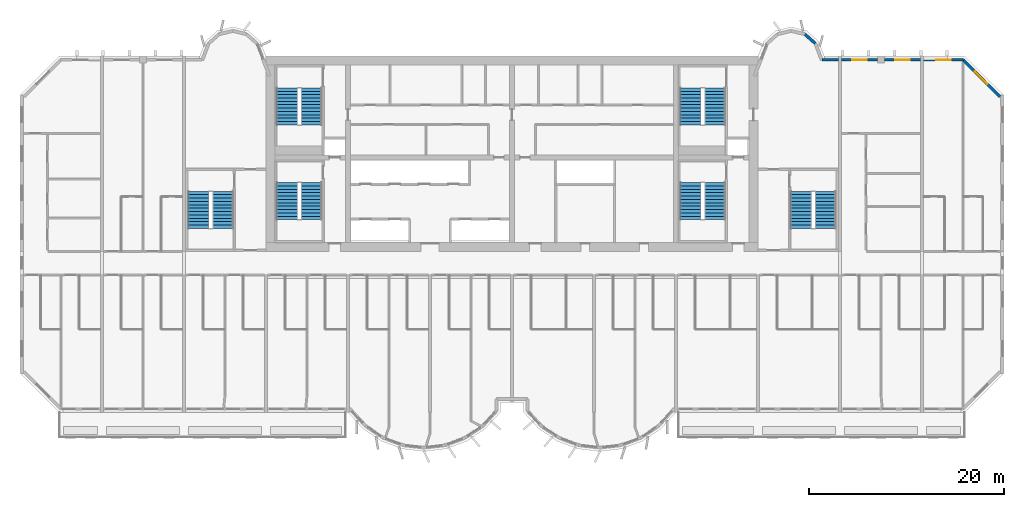
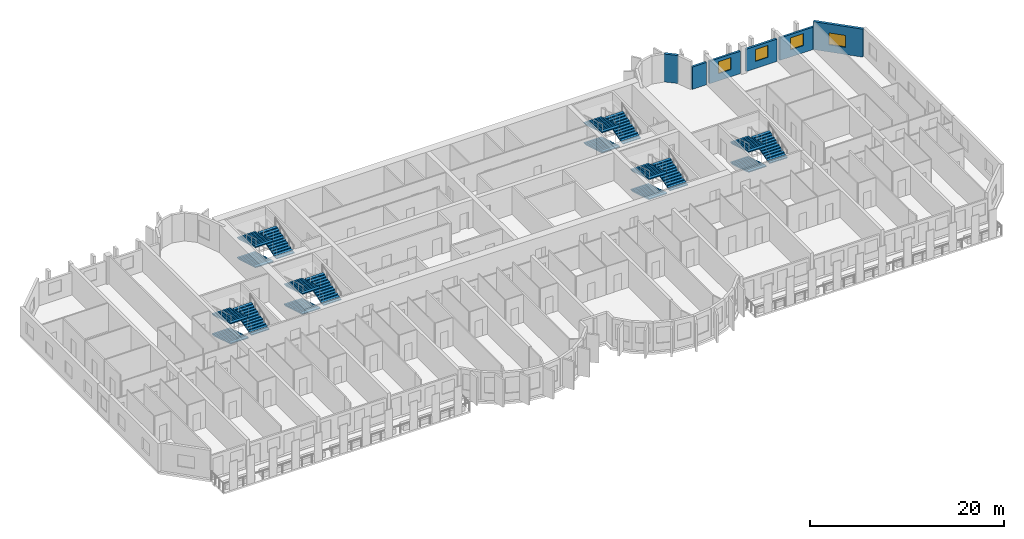
# One storey, part 11 of 14: 18 stair flights, 6 walls, 4 windows, 4 openings, 6 elements without a shape of their own.
"""IFC4 building model written with IfcOpenShell, lengths in metres."""

import ifcopenshell
import ifcopenshell.guid

model = None  # the IFC model being written
_history = None  # IfcOwnerHistory: only IFC2X3 demands one
_inside = {}  # id of a spatial element -> (the spatial element, [elements in it])
_under = {}  # id of a project, library or spatial element -> (it, [spatial elements below it])
_declared = {}  # id of a project -> (the project, [libraries it declares])
_typed = {}  # id of a type object -> (the type object, [elements of that type])
_made_of = {}  # id of a material, layer set ... -> (it, [elements and type objects made of it])


def new_model(schema):
    """Start an empty IFC model of exactly this schema.

    Asked for "IFC4X3", IfcOpenShell would pick the latest addendum, in which some entities
    have other attributes; the version numbers below select the first issue.
    IFC2X3 requires an IfcOwnerHistory on every rooted entity: one is made here for all.
    """
    global model, _history
    if schema == "IFC4X3":
        model = ifcopenshell.file(schema_version=(4, 3, 0, 0))
    else:
        model = ifcopenshell.file(schema=schema)
    _inside.clear()
    _under.clear()
    _declared.clear()
    _typed.clear()
    _made_of.clear()
    _history = None
    if model.schema == "IFC2X3":
        org = make("IfcOrganization", Name="unknown")
        user = make(
            "IfcPersonAndOrganization",
            ThePerson=make("IfcPerson", FamilyName="unknown"),
            TheOrganization=org,
        )
        app = make(
            "IfcApplication",
            ApplicationDeveloper=org,
            Version="unknown",
            ApplicationFullName="unknown",
            ApplicationIdentifier="unknown",
        )
        _history = make(
            "IfcOwnerHistory",
            OwningUser=user,
            OwningApplication=app,
            ChangeAction="ADDED",
            CreationDate=0,
        )
    return model


def make(cls, **values):
    """One entity of the class cls with the attributes given. An attribute that is None is left unset."""
    return model.create_entity(
        cls, **{name: value for name, value in values.items() if value is not None}
    )


def rooted(cls, **values):
    """An entity with a GlobalId (a new one), such as an element, a storey or a relation."""
    return make(cls, GlobalId=ifcopenshell.guid.new(), OwnerHistory=_history, **values)


def si_unit(unit_type, name, prefix=None):
    """IfcSIUnit, for example si_unit("LENGTHUNIT", "METRE", prefix="MILLI")."""
    return make("IfcSIUnit", UnitType=unit_type, Prefix=prefix, Name=name)


def assignment(units):
    """IfcUnitAssignment: the units of a project."""
    return None if units is None else make("IfcUnitAssignment", Units=units)


def point(xyz):
    """IfcCartesianPoint."""
    return None if xyz is None else make("IfcCartesianPoint", Coordinates=xyz)


def direction(xyz):
    """IfcDirection."""
    return None if xyz is None else make("IfcDirection", DirectionRatios=xyz)


def frame(location, z_axis=None, x_axis=None):
    """IfcAxis2Placement3D, a coordinate frame: its origin and axes. An axis left out is left unset."""
    return make(
        "IfcAxis2Placement3D",
        Location=point(location),
        Axis=direction(z_axis),
        RefDirection=direction(x_axis),
    )


def frame_2d(location, x_axis=None):
    """IfcAxis2Placement2D, a coordinate frame in the plane: its origin and x axis."""
    return make(
        "IfcAxis2Placement2D", Location=point(location), RefDirection=direction(x_axis)
    )


def origin():
    """The frame at (0, 0, 0) with its axes left unset."""
    return frame((0.0, 0.0, 0.0))


def place(relative_to, where):
    """IfcLocalPlacement: puts the frame where relative to a parent placement (None: the world)."""
    return make(
        "IfcLocalPlacement", PlacementRelTo=relative_to, RelativePlacement=where
    )


def context(
    kind, dimensions, precision=None, world=None, true_north=None, identifier=None
):
    """IfcGeometricRepresentationContext, for example the 3D "Model" context."""
    return make(
        "IfcGeometricRepresentationContext",
        ContextIdentifier=identifier,
        ContextType=kind,
        CoordinateSpaceDimension=dimensions,
        Precision=precision,
        WorldCoordinateSystem=world,
        TrueNorth=true_north,
    )


def subcontext(parent, identifier, kind, view, scale=None):
    """IfcGeometricRepresentationSubContext, for example "Body" below "Model"."""
    return make(
        "IfcGeometricRepresentationSubContext",
        ContextIdentifier=identifier,
        ContextType=kind,
        ParentContext=parent,
        TargetScale=scale,
        TargetView=view,
    )


def project(units=None, contexts=None):
    """IfcProject with its units and contexts."""
    return rooted(
        "IfcProject",
        Name="project",
        RepresentationContexts=contexts,
        UnitsInContext=assignment(units),
    )


def spatial(cls, under=None, at=None, **own):
    """A site, building, storey or space (cls), placed at a placement, below another one or the project."""
    s = rooted(cls, ObjectPlacement=at, **own)
    if under is not None:
        _under.setdefault(under.id(), (under, []))[1].append(s)
    return s


def polyline(points):
    """IfcPolyline through the points."""
    return make("IfcPolyline", Points=[point(p) for p in points])


def profile(cls, at=None, kind="AREA", **sizes):
    """A parametric profile (cls). Its sizes go by their IFC names, for example OverallWidth=200.0."""
    return make(cls, ProfileType=kind, Position=at, **sizes)


def rectangle(**sizes):
    """IfcRectangleProfileDef."""
    return profile("IfcRectangleProfileDef", **sizes)


def outline(outer, holes=None, kind="AREA"):
    """IfcArbitraryClosedProfileDef: a profile drawn as a closed curve; with holes, ...WithVoids."""
    if holes is None:
        return make("IfcArbitraryClosedProfileDef", ProfileType=kind, OuterCurve=outer)
    return make(
        "IfcArbitraryProfileDefWithVoids",
        ProfileType=kind,
        OuterCurve=outer,
        InnerCurves=holes,
    )


def extrude(swept, where, along, depth):
    """IfcExtrudedAreaSolid: the profile swept, set in the frame where, extruded along a direction by depth."""
    return make(
        "IfcExtrudedAreaSolid",
        SweptArea=swept,
        Position=where,
        ExtrudedDirection=direction(along),
        Depth=depth,
    )


def shape(context_of_items, identifier, shape_type, items):
    """IfcShapeRepresentation: the items that make up one representation, for example the "Body"."""
    return make(
        "IfcShapeRepresentation",
        ContextOfItems=context_of_items,
        RepresentationIdentifier=identifier,
        RepresentationType=shape_type,
        Items=items,
    )


def source(mapping_origin, context_of_items, identifier, shape_type, items):
    """IfcRepresentationMap: a shape defined once, which mapped items show again and again."""
    return make(
        "IfcRepresentationMap",
        MappingOrigin=mapping_origin,
        MappedRepresentation=shape(context_of_items, identifier, shape_type, items),
    )


def transform(
    local_origin,
    x_axis=None,
    y_axis=None,
    z_axis=None,
    scale=None,
    scale2=None,
    scale3=None,
    uniform=True,
):
    """IfcCartesianTransformationOperator3D, or its non-uniform kind. x_axis, y_axis, z_axis: its Axis1, 2, 3."""
    if uniform:
        return make(
            "IfcCartesianTransformationOperator3D",
            Axis1=direction(x_axis),
            Axis2=direction(y_axis),
            LocalOrigin=point(local_origin),
            Scale=scale,
            Axis3=direction(z_axis),
        )
    return make(
        "IfcCartesianTransformationOperator3DnonUniform",
        Axis1=direction(x_axis),
        Axis2=direction(y_axis),
        LocalOrigin=point(local_origin),
        Scale=scale,
        Axis3=direction(z_axis),
        Scale2=scale2,
        Scale3=scale3,
    )


def mapped(mapping_source, mapping_target):
    """IfcMappedItem: shows the shape of a source again, moved by a transform."""
    return make(
        "IfcMappedItem", MappingSource=mapping_source, MappingTarget=mapping_target
    )


def material(Name=None, Category=None):
    """IfcMaterial."""
    return make("IfcMaterial", Name=Name, Category=Category)


def layer(
    of_material, thickness, ventilated=None, Name=None, Category=None, Priority=None
):
    """IfcMaterialLayer: one layer of a wall or slab, of a material (None: an air gap)."""
    return make(
        "IfcMaterialLayer",
        Material=of_material,
        LayerThickness=thickness,
        IsVentilated=ventilated,
        Name=Name,
        Category=Category,
        Priority=Priority,
    )


def layer_set(layers, Name=None):
    """IfcMaterialLayerSet."""
    return make("IfcMaterialLayerSet", MaterialLayers=layers, LayerSetName=Name)


def made_of(thing, what):
    """Note that an element or type object is made of a material, layer set ...; save() writes the relation."""
    if what is not None:
        _made_of.setdefault(what.id(), (what, []))[1].append(thing)
    return thing


def type_object(cls, material=None, **own):
    """A type object (cls), such as IfcWallType, which elements share."""
    return made_of(rooted(cls, **own), material)


def element(
    cls,
    number,
    at=None,
    inside=None,
    cuts=None,
    type_object=None,
    material=None,
    context=None,
    identifier="Body",
    shape_type=None,
    held_by="IfcProductDefinitionShape",
    body=None,
    shapes=None,
    **own,
):
    """One element of the class cls, such as IfcWall. Its Tag is "e" and its number.

    at: its placement. inside: the storey or other place that contains it. cuts: it is an
    opening in that element (IfcRelVoidsElement). A single representation is given by context,
    identifier, shape_type and body (its items); several are given by shapes. held_by: the class
    of the entity that holds the representations. save() writes the other relations.
    """
    e = rooted(cls, Tag="e%d" % number, ObjectPlacement=at, **own)
    if body is not None:
        shapes = [shape(context, identifier, shape_type, body)]
    if shapes is not None:
        e.Representation = make(held_by, Representations=shapes)
    if inside is not None:
        _inside.setdefault(inside.id(), (inside, []))[1].append(e)
    if cuts is not None:
        rooted(
            "IfcRelVoidsElement", RelatingBuildingElement=cuts, RelatedOpeningElement=e
        )
    if type_object is not None:
        _typed.setdefault(type_object.id(), (type_object, []))[1].append(e)
    return made_of(e, material)


def fill(opening, filler):
    """IfcRelFillsElement: the door or window that sits in an opening."""
    return rooted(
        "IfcRelFillsElement",
        RelatingOpeningElement=opening,
        RelatedBuildingElement=filler,
    )


def aggregate(whole, parts):
    """IfcRelAggregates: a whole, such as a stair, and the parts it consists of."""
    return rooted("IfcRelAggregates", RelatingObject=whole, RelatedObjects=parts)


def save(model, path):
    """Write the relations noted so far, then the file.

    IfcRelAggregates (storeys below a building ...), IfcRelContainedInSpatialStructure (elements
    in a storey), IfcRelDefinesByType, IfcRelAssociatesMaterial and IfcRelDeclares: one each for
    every whole, place, type object, material and project.
    """
    for whole, parts in _under.values():
        aggregate(whole, parts)
    for where, things in _inside.values():
        rooted(
            "IfcRelContainedInSpatialStructure",
            RelatedElements=things,
            RelatingStructure=where,
        )
    for kind, things in _typed.values():
        rooted("IfcRelDefinesByType", RelatedObjects=things, RelatingType=kind)
    for what, things in _made_of.values():
        rooted("IfcRelAssociatesMaterial", RelatedObjects=things, RelatingMaterial=what)
    for by, libraries in _declared.values():
        rooted("IfcRelDeclares", RelatingContext=by, RelatedDefinitions=libraries)
    model.write(path)


model = new_model("IFC4")

# Units and contexts
model_context = context("Model", 3, precision=1e-05, world=origin(), true_north=direction((0.0, 1.0)))
body_context = subcontext(model_context, "Body", "Model", "MODEL_VIEW")
ifc_project = project(units=[si_unit("LENGTHUNIT", "METRE"), si_unit("AREAUNIT", "SQUARE_METRE"), si_unit("VOLUMEUNIT", "CUBIC_METRE"), si_unit("PLANEANGLEUNIT", "RADIAN"), si_unit("MASSUNIT", "GRAM", prefix="KILO")], contexts=[model_context])

# Site, building, storey
site_placement = place(None, origin())
site = spatial("IfcSite", under=ifc_project, at=site_placement, CompositionType="ELEMENT")
building_placement = place(site_placement, origin())
building = spatial("IfcBuilding", under=site, at=building_placement, Name="Vanashikhar Sky Hotel", CompositionType="ELEMENT")
storey_placement = place(building_placement, frame((0.0, 0.0, 102.800048828125)))
storey = spatial("IfcBuildingStorey", under=building, at=storey_placement, Name="L24", CompositionType="ELEMENT", Elevation=102.800048828125)

# Wall, opening, window
ifc_material_1 = material(Name="Concrete M50", Category="concrete")
ifc_layer_1 = layer(ifc_material_1, 0.300048828125)
ifc_layer_set_1 = layer_set([ifc_layer_1], Name="Lobe wall 300")
wall_type_1 = type_object("IfcWallType", Name="Lobe wall 300", PredefinedType="SOLIDWALL", material=ifc_layer_set_1)
shared_shape_1 = source(origin(), body_context, "Body", "SweptSolid", [
    extrude(rectangle(XDim=5.32568359375, YDim=0.300048828125, at=frame_2d((2.662841796875, 0.0))), origin(), (0.0, 0.0, 1.0), 3.52001953125),
])
wall_1_placement = place(storey_placement, frame((100.39990234375, 37.834228515625, 0.0), z_axis=(0.0, 0.0, 1.0), x_axis=(-0.707083859269, 0.707129702361, 0.0)))
wall_1 = element("IfcWall", 1, at=wall_1_placement, inside=storey, type_object=wall_type_1, Name="Corner wall", PredefinedType="SOLIDWALL", context=body_context, shape_type="MappedRepresentation", body=[
    mapped(shared_shape_1, transform((0.0, 0.0, 0.0), scale=1.0)),
])
shared_shape_2 = source(origin(), body_context, "Body", "SweptSolid", [
    extrude(rectangle(XDim=1.800048828125, YDim=1.5, at=frame_2d((0.89990234375, 0.75))), frame((0.0, 0.16015625, 0.0), z_axis=(0.0, -1.0, 0.0), x_axis=(1.0, 0.0, 0.0)), (0.0, 0.0, 1.0), 0.320068359375),
])
opening_1_placement = place(wall_1_placement, frame((1.853759765625, 0.0, 0.89990234375)))
opening_1 = element("IfcOpeningElement", 2, at=opening_1_placement, cuts=wall_1, Name="Opening WN-4", PredefinedType="OPENING", context=body_context, shape_type="MappedRepresentation", body=[
    mapped(shared_shape_2, transform((0.0, 0.0, 0.0), scale=1.0)),
])
ifc_material_2 = material(Name="Glass", Category="glass")
window_type_1 = type_object("IfcWindowType", Name="Corner window 1800 x 1500", PartitioningType="SINGLE_PANEL", PredefinedType="WINDOW", material=ifc_material_2)
shared_shape_3 = source(origin(), body_context, "Body", "SweptSolid", [
    extrude(rectangle(XDim=1.800048828125, YDim=1.5, at=frame_2d((0.89990234375, 0.75))), frame((0.0, 0.030029296875, 0.0), z_axis=(0.0, -1.0, 0.0), x_axis=(1.0, 0.0, 0.0)), (0.0, 0.0, 1.0), 0.06005859375),
])
window_1_placement = place(opening_1_placement, origin())
window_1 = element("IfcWindow", 3, at=window_1_placement, inside=storey, type_object=window_type_1, Name="Window WN-4", OverallHeight=1.5, OverallWidth=1.800048828125, PartitioningType="SINGLE_PANEL", PredefinedType="WINDOW", context=body_context, shape_type="MappedRepresentation", body=[
    mapped(shared_shape_3, transform((0.0, 0.0, 0.0), scale=1.0)),
])
fill(opening_1, window_1)

# Wall
shared_shape_4 = source(origin(), body_context, "Body", "SweptSolid", [
    extrude(rectangle(XDim=1.43994140625, YDim=0.300048828125, at=frame_2d((0.719970703125, 0.0))), origin(), (0.0, 0.0, 1.0), 3.52001953125),
])
wall_2_placement = place(storey_placement, frame((81.4765625, 43.2919921875, 0.0), z_axis=(0.0, 0.0, 1.0), x_axis=(-0.74957555648, 0.661918790432, 0.0)))
element("IfcWall", 4, at=wall_2_placement, inside=storey, type_object=wall_type_1, Name="Lobe wall", PredefinedType="SOLIDWALL", context=body_context, shape_type="MappedRepresentation", body=[
    mapped(shared_shape_4, transform((0.0, 0.0, 0.0), scale=1.0)),
])

# Wall, opening, window
ifc_layer_2 = layer(ifc_material_1, 0.25)
ifc_layer_set_2 = layer_set([ifc_layer_2], Name="Rear and end board-marked wall 250")
wall_type_2 = type_object("IfcWallType", Name="Rear and end board-marked wall 250", PredefinedType="SOLIDWALL", material=ifc_layer_set_2)
shared_shape_5 = source(origin(), body_context, "Body", "SweptSolid", [
    extrude(rectangle(XDim=4.06982421875, YDim=0.25, at=frame_2d((2.034912109375, 0.0))), origin(), (0.0, 0.0, 1.0), 2.820068359375),
])
wall_3_placement = place(storey_placement, frame((96.644775390625, 41.625, 0.0), z_axis=(0.0, 0.0, 1.0), x_axis=(-1.0, 0.0, 0.0)))
wall_3 = element("IfcWall", 5, at=wall_3_placement, inside=storey, type_object=wall_type_2, Name="Rear board-marked wall", PredefinedType="SOLIDWALL", context=body_context, shape_type="MappedRepresentation", body=[
    mapped(shared_shape_5, transform((0.0, 0.0, 0.0), scale=1.0)),
])
shared_shape_6 = source(origin(), body_context, "Body", "SweptSolid", [
    extrude(rectangle(XDim=1.5, YDim=1.5, at=frame_2d((0.75, 0.75))), frame((0.0, 0.135009765625, 0.0), z_axis=(0.0, -1.0, 0.0), x_axis=(1.0, 0.0, 0.0)), (0.0, 0.0, 1.0), 0.27001953125),
])
opening_2_placement = place(wall_3_placement, frame((1.284912109375, 0.0, 0.89990234375)))
opening_2 = element("IfcOpeningElement", 6, at=opening_2_placement, cuts=wall_3, Name="Opening WN-1", PredefinedType="OPENING", context=body_context, shape_type="MappedRepresentation", body=[
    mapped(shared_shape_6, transform((0.0, 0.0, 0.0), scale=1.0)),
])
window_type_2 = type_object("IfcWindowType", Name="Window 1500 x 1500", PartitioningType="SINGLE_PANEL", PredefinedType="WINDOW", material=ifc_material_2)
shared_shape_7 = source(origin(), body_context, "Body", "SweptSolid", [
    extrude(rectangle(XDim=1.5, YDim=1.5, at=frame_2d((0.75, 0.75))), frame((0.0, 0.030029296875, 0.0), z_axis=(0.0, -1.0, 0.0), x_axis=(1.0, 0.0, 0.0)), (0.0, 0.0, 1.0), 0.06005859375),
])
window_2_placement = place(opening_2_placement, origin())
window_2 = element("IfcWindow", 7, at=window_2_placement, inside=storey, type_object=window_type_2, Name="Window WN-1", OverallHeight=1.5, OverallWidth=1.5, PartitioningType="SINGLE_PANEL", PredefinedType="WINDOW", context=body_context, shape_type="MappedRepresentation", body=[
    mapped(shared_shape_7, transform((0.0, 0.0, 0.0), scale=1.0)),
])
fill(opening_2, window_2)

shared_shape_8 = source(origin(), body_context, "Body", "SweptSolid", [
    extrude(rectangle(XDim=3.675048828125, YDim=0.25, at=frame_2d((1.83740234375, 0.0))), origin(), (0.0, 0.0, 1.0), 2.820068359375),
])
wall_4_placement = place(storey_placement, frame((87.85009765625, 41.625, 0.0), z_axis=(0.0, 0.0, 1.0), x_axis=(-1.0, 0.0, 0.0)))
wall_4 = element("IfcWall", 8, at=wall_4_placement, inside=storey, type_object=wall_type_2, Name="Rear board-marked wall", PredefinedType="SOLIDWALL", context=body_context, shape_type="MappedRepresentation", body=[
    mapped(shared_shape_8, transform((0.0, 0.0, 0.0), scale=1.0)),
])
opening_3_placement = place(wall_4_placement, frame((1.08740234375, 0.0, 0.89990234375)))
opening_3 = element("IfcOpeningElement", 9, at=opening_3_placement, cuts=wall_4, Name="Opening WN-1", PredefinedType="OPENING", context=body_context, shape_type="MappedRepresentation", body=[
    mapped(shared_shape_6, transform((0.0, 0.0, 0.0), scale=1.0)),
])
window_3_placement = place(opening_3_placement, origin())
window_3 = element("IfcWindow", 10, at=window_3_placement, inside=storey, type_object=window_type_2, Name="Window WN-1", OverallHeight=1.5, OverallWidth=1.5, PartitioningType="SINGLE_PANEL", PredefinedType="WINDOW", context=body_context, shape_type="MappedRepresentation", body=[
    mapped(shared_shape_7, transform((0.0, 0.0, 0.0), scale=1.0)),
])
fill(opening_3, window_3)

wall_5_placement = place(storey_placement, frame((92.22509765625, 41.625, 0.0), z_axis=(0.0, 0.0, 1.0), x_axis=(-1.0, 0.0, 0.0)))
wall_5 = element("IfcWall", 11, at=wall_5_placement, inside=storey, type_object=wall_type_2, Name="Rear board-marked wall", PredefinedType="SOLIDWALL", context=body_context, shape_type="MappedRepresentation", body=[
    mapped(shared_shape_8, transform((0.0, 0.0, 0.0), scale=1.0)),
])
opening_4_placement = place(wall_5_placement, frame((1.08740234375, 0.0, 0.89990234375)))
opening_4 = element("IfcOpeningElement", 12, at=opening_4_placement, cuts=wall_5, Name="Opening WN-1", PredefinedType="OPENING", context=body_context, shape_type="MappedRepresentation", body=[
    mapped(shared_shape_6, transform((0.0, 0.0, 0.0), scale=1.0)),
])
window_4_placement = place(opening_4_placement, origin())
window_4 = element("IfcWindow", 13, at=window_4_placement, inside=storey, type_object=window_type_2, Name="Window WN-1", OverallHeight=1.5, OverallWidth=1.5, PartitioningType="SINGLE_PANEL", PredefinedType="WINDOW", context=body_context, shape_type="MappedRepresentation", body=[
    mapped(shared_shape_7, transform((0.0, 0.0, 0.0), scale=1.0)),
])
fill(opening_4, window_4)

# Wall
shared_shape_9 = source(origin(), body_context, "Body", "SweptSolid", [
    extrude(rectangle(XDim=1.682861328125, YDim=0.25, at=frame_2d((0.84130859375, 0.0))), origin(), (0.0, 0.0, 1.0), 2.820068359375),
])
wall_6_placement = place(storey_placement, frame((83.824951171875, 41.625, 0.0), z_axis=(0.0, 0.0, 1.0), x_axis=(-1.0, 0.0, 0.0)))
element("IfcWall", 14, at=wall_6_placement, inside=storey, type_object=wall_type_2, Name="Rear board-marked wall", PredefinedType="SOLIDWALL", context=body_context, shape_type="MappedRepresentation", body=[
    mapped(shared_shape_9, transform((0.0, 0.0, 0.0), scale=1.0)),
])

# Stair, stair flights
ifc_material_3 = material(Name="Concrete M40", Category="concrete")
stair_type = type_object("IfcStairType", Name="Exit stair 2150", PredefinedType="DOUBLE_RETURN_STAIR", material=ifc_material_3)
stair_1_placement = place(storey_placement, origin())
stair_1 = element("IfcStair", 15, at=stair_1_placement, inside=storey, type_object=stair_type, Name="L24 Exit stair 1", PredefinedType="DOUBLE_RETURN_STAIR")
stair_flight_type = type_object("IfcStairFlightType", Name="Stair flight 2150", PredefinedType="STRAIGHT", material=ifc_material_3)
shared_shape_10 = source(origin(), body_context, "Body", "SweptSolid", [
    extrude(outline(polyline([(0.0, 0.0), (0.0, 0.10546875), (0.345458984375, 0.10546875), (0.345458984375, 0.211181640625), (0.69091796875, 0.211181640625), (0.69091796875, 0.316650390625), (1.036376953125, 0.316650390625), (1.036376953125, 0.422119140625), (1.3818359375, 0.422119140625), (1.3818359375, 0.52783203125), (1.727294921875, 0.52783203125), (1.727294921875, 0.63330078125), (2.07275390625, 0.63330078125), (2.07275390625, 0.73876953125), (2.418212890625, 0.73876953125), (2.418212890625, 0.844482421875), (2.763671875, 0.844482421875), (2.763671875, 0.949951171875), (3.109130859375, 0.949951171875), (3.109130859375, 1.0556640625), (3.45458984375, 1.0556640625), (3.45458984375, 1.1611328125), (3.800048828125, 1.1611328125), (3.800048828125, 1.2666015625), (3.800048828125, 1.035400390625), (0.4111328125, 0.0), (0.0, 0.0)])), frame((0.0, 1.074951171875, 0.0), z_axis=(0.0, -1.0, 0.0), x_axis=(1.0, 0.0, 0.0)), (0.0, 0.0, 1.0), 2.14990234375),
])
stair_flight_1_placement = place(storey_placement, frame((27.375, 29.050048828125, 0.0), z_axis=(0.0, 0.0, 1.0), x_axis=(0.0, -1.0, 0.0)))
stair_flight_1 = element("IfcStairFlight", 16, at=stair_flight_1_placement, type_object=stair_flight_type, Name="ST-C1 flight 1", NumberOfRisers=12, NumberOfTreads=11, PredefinedType="STRAIGHT", RiserHeight=0.105555556, TreadLength=0.345454545, context=body_context, shape_type="MappedRepresentation", body=[
    mapped(shared_shape_10, transform((0.0, 0.0, 0.0), scale=1.0)),
])
stair_flight_2_placement = place(storey_placement, frame((29.875, 25.25, 1.2666015625), z_axis=(0.0, 0.0, 1.0), x_axis=(0.0, 1.0, 0.0)))
stair_flight_2 = element("IfcStairFlight", 17, at=stair_flight_2_placement, type_object=stair_flight_type, Name="ST-C1 flight 2", NumberOfRisers=12, NumberOfTreads=11, PredefinedType="STRAIGHT", RiserHeight=0.105555556, TreadLength=0.345454545, context=body_context, shape_type="MappedRepresentation", body=[
    mapped(shared_shape_10, transform((0.0, 0.0, 0.0), scale=1.0)),
])
stair_flight_3_placement = place(storey_placement, frame((27.375, 29.050048828125, 2.533203125), z_axis=(0.0, 0.0, 1.0), x_axis=(0.0, -1.0, 0.0)))
stair_flight_3 = element("IfcStairFlight", 18, at=stair_flight_3_placement, type_object=stair_flight_type, Name="ST-C1 flight 3", NumberOfRisers=12, NumberOfTreads=11, PredefinedType="STRAIGHT", RiserHeight=0.105555556, TreadLength=0.345454545, context=body_context, shape_type="MappedRepresentation", body=[
    mapped(shared_shape_10, transform((0.0, 0.0, 0.0), scale=1.0)),
])
aggregate(stair_1, [stair_flight_1, stair_flight_2, stair_flight_3])

stair_2_placement = place(storey_placement, origin())
stair_2 = element("IfcStair", 19, at=stair_2_placement, inside=storey, type_object=stair_type, Name="L24 Exit stair 2", PredefinedType="DOUBLE_RETURN_STAIR")
stair_flight_4_placement = place(storey_placement, frame((68.675048828125, 29.050048828125, 0.0), z_axis=(0.0, 0.0, 1.0), x_axis=(0.0, -1.0, 0.0)))
stair_flight_4 = element("IfcStairFlight", 20, at=stair_flight_4_placement, type_object=stair_flight_type, Name="ST-C2 flight 1", NumberOfRisers=12, NumberOfTreads=11, PredefinedType="STRAIGHT", RiserHeight=0.105555556, TreadLength=0.345454545, context=body_context, shape_type="MappedRepresentation", body=[
    mapped(shared_shape_10, transform((0.0, 0.0, 0.0), scale=1.0)),
])
stair_flight_5_placement = place(storey_placement, frame((71.175048828125, 25.25, 1.2666015625), z_axis=(0.0, 0.0, 1.0), x_axis=(0.0, 1.0, 0.0)))
stair_flight_5 = element("IfcStairFlight", 21, at=stair_flight_5_placement, type_object=stair_flight_type, Name="ST-C2 flight 2", NumberOfRisers=12, NumberOfTreads=11, PredefinedType="STRAIGHT", RiserHeight=0.105555556, TreadLength=0.345454545, context=body_context, shape_type="MappedRepresentation", body=[
    mapped(shared_shape_10, transform((0.0, 0.0, 0.0), scale=1.0)),
])
stair_flight_6_placement = place(storey_placement, frame((68.675048828125, 29.050048828125, 2.533203125), z_axis=(0.0, 0.0, 1.0), x_axis=(0.0, -1.0, 0.0)))
stair_flight_6 = element("IfcStairFlight", 22, at=stair_flight_6_placement, type_object=stair_flight_type, Name="ST-C2 flight 3", NumberOfRisers=12, NumberOfTreads=11, PredefinedType="STRAIGHT", RiserHeight=0.105555556, TreadLength=0.345454545, context=body_context, shape_type="MappedRepresentation", body=[
    mapped(shared_shape_10, transform((0.0, 0.0, 0.0), scale=1.0)),
])
aggregate(stair_2, [stair_flight_4, stair_flight_5, stair_flight_6])

stair_3_placement = place(storey_placement, origin())
stair_3 = element("IfcStair", 23, at=stair_3_placement, inside=storey, type_object=stair_type, Name="L24 Exit stair 3", PredefinedType="DOUBLE_RETURN_STAIR")
stair_flight_7_placement = place(storey_placement, frame((18.27490234375, 28.14990234375, 0.0), z_axis=(0.0, 0.0, 1.0), x_axis=(0.0, -1.0, 0.0)))
stair_flight_7 = element("IfcStairFlight", 24, at=stair_flight_7_placement, type_object=stair_flight_type, Name="ST-W flight 1", NumberOfRisers=12, NumberOfTreads=11, PredefinedType="STRAIGHT", RiserHeight=0.105555556, TreadLength=0.345454545, context=body_context, shape_type="MappedRepresentation", body=[
    mapped(shared_shape_10, transform((0.0, 0.0, 0.0), scale=1.0)),
])
stair_flight_8_placement = place(storey_placement, frame((20.77490234375, 24.35009765625, 1.2666015625), z_axis=(0.0, 0.0, 1.0), x_axis=(0.0, 1.0, 0.0)))
stair_flight_8 = element("IfcStairFlight", 25, at=stair_flight_8_placement, type_object=stair_flight_type, Name="ST-W flight 2", NumberOfRisers=12, NumberOfTreads=11, PredefinedType="STRAIGHT", RiserHeight=0.105555556, TreadLength=0.345454545, context=body_context, shape_type="MappedRepresentation", body=[
    mapped(shared_shape_10, transform((0.0, 0.0, 0.0), scale=1.0)),
])
stair_flight_9_placement = place(storey_placement, frame((18.27490234375, 28.14990234375, 2.533203125), z_axis=(0.0, 0.0, 1.0), x_axis=(0.0, -1.0, 0.0)))
stair_flight_9 = element("IfcStairFlight", 26, at=stair_flight_9_placement, type_object=stair_flight_type, Name="ST-W flight 3", NumberOfRisers=12, NumberOfTreads=11, PredefinedType="STRAIGHT", RiserHeight=0.105555556, TreadLength=0.345454545, context=body_context, shape_type="MappedRepresentation", body=[
    mapped(shared_shape_10, transform((0.0, 0.0, 0.0), scale=1.0)),
])
aggregate(stair_3, [stair_flight_7, stair_flight_8, stair_flight_9])

stair_4_placement = place(storey_placement, origin())
stair_4 = element("IfcStair", 27, at=stair_4_placement, inside=storey, type_object=stair_type, Name="L24 Exit stair 4", PredefinedType="DOUBLE_RETURN_STAIR")
stair_flight_10_placement = place(storey_placement, frame((80.02490234375, 28.14990234375, 0.0), z_axis=(0.0, 0.0, 1.0), x_axis=(0.0, -1.0, 0.0)))
stair_flight_10 = element("IfcStairFlight", 28, at=stair_flight_10_placement, type_object=stair_flight_type, Name="ST-E flight 1", NumberOfRisers=12, NumberOfTreads=11, PredefinedType="STRAIGHT", RiserHeight=0.105555556, TreadLength=0.345454545, context=body_context, shape_type="MappedRepresentation", body=[
    mapped(shared_shape_10, transform((0.0, 0.0, 0.0), scale=1.0)),
])
stair_flight_11_placement = place(storey_placement, frame((82.52490234375, 24.35009765625, 1.2666015625), z_axis=(0.0, 0.0, 1.0), x_axis=(0.0, 1.0, 0.0)))
stair_flight_11 = element("IfcStairFlight", 29, at=stair_flight_11_placement, type_object=stair_flight_type, Name="ST-E flight 2", NumberOfRisers=12, NumberOfTreads=11, PredefinedType="STRAIGHT", RiserHeight=0.105555556, TreadLength=0.345454545, context=body_context, shape_type="MappedRepresentation", body=[
    mapped(shared_shape_10, transform((0.0, 0.0, 0.0), scale=1.0)),
])
stair_flight_12_placement = place(storey_placement, frame((80.02490234375, 28.14990234375, 2.533203125), z_axis=(0.0, 0.0, 1.0), x_axis=(0.0, -1.0, 0.0)))
stair_flight_12 = element("IfcStairFlight", 30, at=stair_flight_12_placement, type_object=stair_flight_type, Name="ST-E flight 3", NumberOfRisers=12, NumberOfTreads=11, PredefinedType="STRAIGHT", RiserHeight=0.105555556, TreadLength=0.345454545, context=body_context, shape_type="MappedRepresentation", body=[
    mapped(shared_shape_10, transform((0.0, 0.0, 0.0), scale=1.0)),
])
aggregate(stair_4, [stair_flight_10, stair_flight_11, stair_flight_12])

stair_5_placement = place(storey_placement, origin())
stair_5 = element("IfcStair", 31, at=stair_5_placement, inside=storey, type_object=stair_type, Name="L24 Exit stair 5", PredefinedType="DOUBLE_RETURN_STAIR")
stair_flight_13_placement = place(storey_placement, frame((27.375, 38.75, 0.0), z_axis=(0.0, 0.0, 1.0), x_axis=(0.0, -1.0, 0.0)))
stair_flight_13 = element("IfcStairFlight", 32, at=stair_flight_13_placement, type_object=stair_flight_type, Name="ST-C3 flight 1", NumberOfRisers=12, NumberOfTreads=11, PredefinedType="STRAIGHT", RiserHeight=0.105555556, TreadLength=0.345454545, context=body_context, shape_type="MappedRepresentation", body=[
    mapped(shared_shape_10, transform((0.0, 0.0, 0.0), scale=1.0)),
])
stair_flight_14_placement = place(storey_placement, frame((29.875, 34.949951171875, 1.2666015625), z_axis=(0.0, 0.0, 1.0), x_axis=(0.0, 1.0, 0.0)))
stair_flight_14 = element("IfcStairFlight", 33, at=stair_flight_14_placement, type_object=stair_flight_type, Name="ST-C3 flight 2", NumberOfRisers=12, NumberOfTreads=11, PredefinedType="STRAIGHT", RiserHeight=0.105555556, TreadLength=0.345454545, context=body_context, shape_type="MappedRepresentation", body=[
    mapped(shared_shape_10, transform((0.0, 0.0, 0.0), scale=1.0)),
])
stair_flight_15_placement = place(storey_placement, frame((27.375, 38.75, 2.533203125), z_axis=(0.0, 0.0, 1.0), x_axis=(0.0, -1.0, 0.0)))
stair_flight_15 = element("IfcStairFlight", 34, at=stair_flight_15_placement, type_object=stair_flight_type, Name="ST-C3 flight 3", NumberOfRisers=12, NumberOfTreads=11, PredefinedType="STRAIGHT", RiserHeight=0.105555556, TreadLength=0.345454545, context=body_context, shape_type="MappedRepresentation", body=[
    mapped(shared_shape_10, transform((0.0, 0.0, 0.0), scale=1.0)),
])
aggregate(stair_5, [stair_flight_13, stair_flight_14, stair_flight_15])

stair_6_placement = place(storey_placement, origin())
stair_6 = element("IfcStair", 35, at=stair_6_placement, inside=storey, type_object=stair_type, Name="L24 Exit stair 6", PredefinedType="DOUBLE_RETURN_STAIR")
stair_flight_16_placement = place(storey_placement, frame((68.675048828125, 38.75, 0.0), z_axis=(0.0, 0.0, 1.0), x_axis=(0.0, -1.0, 0.0)))
stair_flight_16 = element("IfcStairFlight", 36, at=stair_flight_16_placement, type_object=stair_flight_type, Name="ST-C4 flight 1", NumberOfRisers=12, NumberOfTreads=11, PredefinedType="STRAIGHT", RiserHeight=0.105555556, TreadLength=0.345454545, context=body_context, shape_type="MappedRepresentation", body=[
    mapped(shared_shape_10, transform((0.0, 0.0, 0.0), scale=1.0)),
])
stair_flight_17_placement = place(storey_placement, frame((71.175048828125, 34.949951171875, 1.2666015625), z_axis=(0.0, 0.0, 1.0), x_axis=(0.0, 1.0, 0.0)))
stair_flight_17 = element("IfcStairFlight", 37, at=stair_flight_17_placement, type_object=stair_flight_type, Name="ST-C4 flight 2", NumberOfRisers=12, NumberOfTreads=11, PredefinedType="STRAIGHT", RiserHeight=0.105555556, TreadLength=0.345454545, context=body_context, shape_type="MappedRepresentation", body=[
    mapped(shared_shape_10, transform((0.0, 0.0, 0.0), scale=1.0)),
])
stair_flight_18_placement = place(storey_placement, frame((68.675048828125, 38.75, 2.533203125), z_axis=(0.0, 0.0, 1.0), x_axis=(0.0, -1.0, 0.0)))
stair_flight_18 = element("IfcStairFlight", 38, at=stair_flight_18_placement, type_object=stair_flight_type, Name="ST-C4 flight 3", NumberOfRisers=12, NumberOfTreads=11, PredefinedType="STRAIGHT", RiserHeight=0.105555556, TreadLength=0.345454545, context=body_context, shape_type="MappedRepresentation", body=[
    mapped(shared_shape_10, transform((0.0, 0.0, 0.0), scale=1.0)),
])
aggregate(stair_6, [stair_flight_16, stair_flight_17, stair_flight_18])

save(model, "model.ifc")
